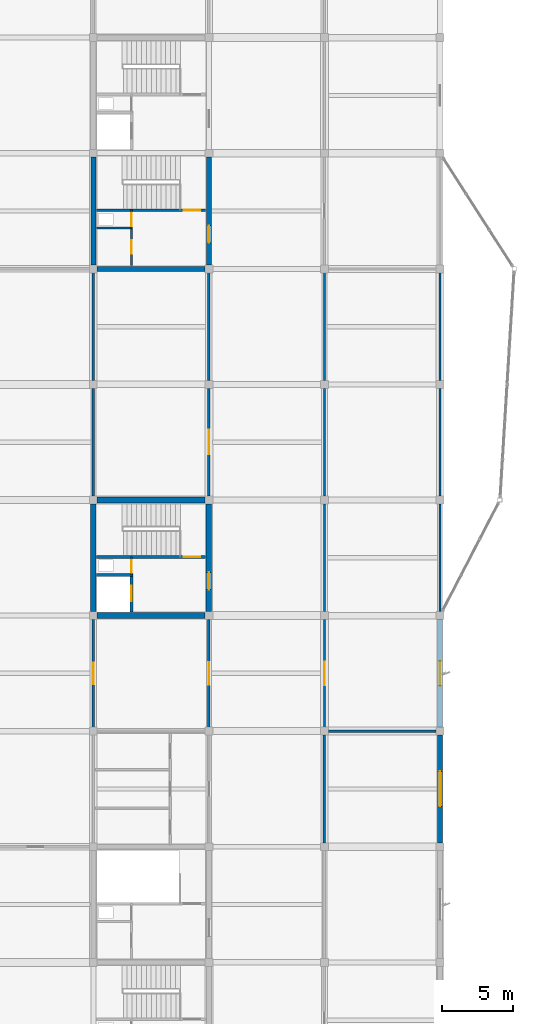
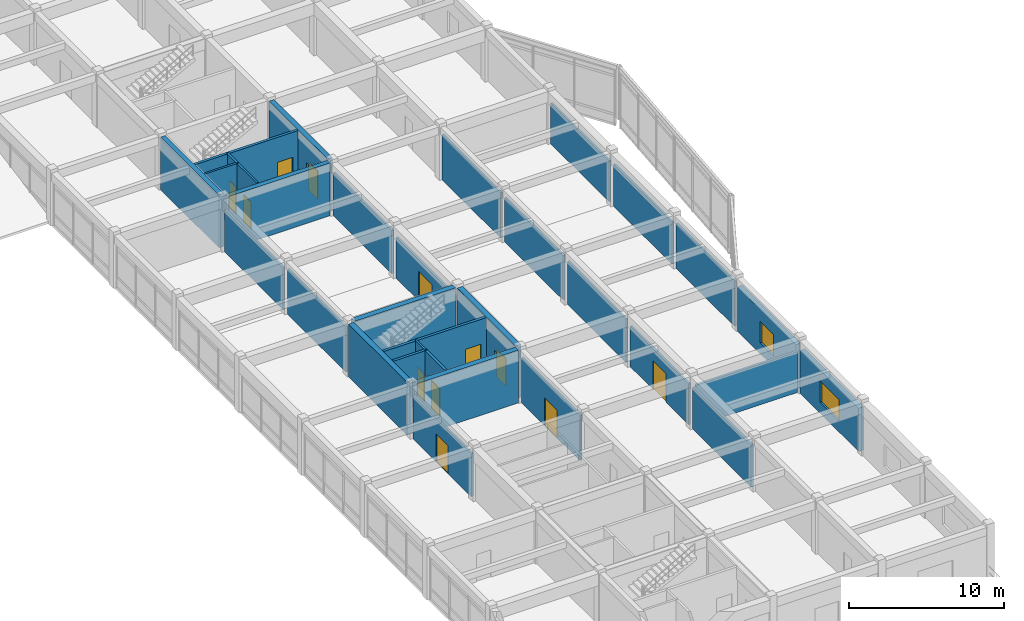
# One storey, part 28 of 33: 32 walls, 12 doors, 2 windows, 14 openings.
"""IFC4 building model written with IfcOpenShell, lengths in metres."""

from ifc_helpers import new_model, si_unit, direction, frame, frame_2d, origin, place, context, subcontext, project, spatial, rectangle, extrude, material, layer, layer_set, type_object, element, fill, save


model = new_model("IFC4")

# Units and contexts
model_context = context("Model", 3, precision=1e-05, world=origin(), true_north=direction((0.0, 1.0)))
body_context = subcontext(model_context, "Body", "Model", "MODEL_VIEW")
ifc_project = project(units=[si_unit("LENGTHUNIT", "METRE"), si_unit("AREAUNIT", "SQUARE_METRE"), si_unit("VOLUMEUNIT", "CUBIC_METRE"), si_unit("PLANEANGLEUNIT", "RADIAN"), si_unit("MASSUNIT", "GRAM", prefix="KILO")], contexts=[model_context])

# Site, building, storey
site_placement = place(None, origin())
site = spatial("IfcSite", under=ifc_project, at=site_placement, CompositionType="ELEMENT")
building_placement = place(site_placement, origin())
building = spatial("IfcBuilding", under=site, at=building_placement, Name="Vaudrelin Polytechnic", CompositionType="ELEMENT")
storey_placement = place(building_placement, frame((0.0, 0.0, 27.3701171875)))
storey = spatial("IfcBuildingStorey", under=building, at=storey_placement, Name="L06", CompositionType="ELEMENT", Elevation=27.3701171875)

# Wall, opening, window
ifc_material_1 = material(Name="Precast concrete 35 MPa with terracotta baguette screen", Category="masonry")
ifc_layer_1 = layer(ifc_material_1, 0.35009765625)
ifc_layer_set_1 = layer_set([ifc_layer_1], Name="Precast concrete 35 MPa with terracotta baguette screen")
wall_type_1 = type_object("IfcWallType", Name="WAL-EW-TERR350", PredefinedType="STANDARD", material=ifc_layer_set_1)
wall_1_placement = place(storey_placement, frame((170.10009765625, 48.873046875, 0.0), z_axis=(0.0, 0.0, 1.0), x_axis=(0.0, 1.0, 0.0)))
wall_1 = element("IfcWall", 1, at=wall_1_placement, inside=storey, type_object=wall_type_1, Name="Exterior wall L06 E_V4_02", PredefinedType="STANDARD", context=body_context, shape_type="SweptSolid", body=[
    extrude(rectangle(XDim=7.553955078125, YDim=0.35009765625, at=frame_2d((3.77685546875, 0.0))), origin(), (0.0, 0.0, 1.0), 3.411865234375),
])
opening_1_placement = place(wall_1_placement, frame((2.552001953125, 0.0, 0.85009765625)))
opening_1 = element("IfcOpeningElement", 2, at=opening_1_placement, cuts=wall_1, Name="Opening W-L06-E-V4-03", PredefinedType="OPENING", context=body_context, shape_type="SweptSolid", body=[
    extrude(rectangle(XDim=2.449951171875, YDim=1.699951171875, at=frame_2d((1.22509765625, 0.85009765625))), frame((0.0, 0.18505859375, 0.0), z_axis=(0.0, -1.0, 0.0), x_axis=(1.0, 0.0, 0.0)), (0.0, 0.0, 1.0), 0.3701171875),
])
ifc_material_2 = material(Name="Thermally broken aluminium frame with triple low-e glazing", Category="aluminium")
window_type_1 = type_object("IfcWindowType", Name="WIN-WN-38", PartitioningType="SINGLE_PANEL", PredefinedType="WINDOW", material=ifc_material_2)
window_1_placement = place(opening_1_placement, origin())
window_1 = element("IfcWindow", 3, at=window_1_placement, inside=storey, type_object=window_type_1, Name="Facade window L06-E_V4_02", OverallHeight=1.699951171875, OverallWidth=2.449951171875, PartitioningType="SINGLE_PANEL", PredefinedType="WINDOW", context=body_context, shape_type="SweptSolid", body=[
    extrude(rectangle(XDim=2.449951171875, YDim=1.699951171875, at=frame_2d((1.22509765625, 0.85009765625))), frame((0.0, 0.030029296875, 0.0), z_axis=(0.0, -1.0, 0.0), x_axis=(1.0, 0.0, 0.0)), (0.0, 0.0, 1.0), 0.06005859375),
])
fill(opening_1, window_1)

wall_2_placement = place(storey_placement, frame((170.10009765625, 56.972900390625, 0.0), z_axis=(0.0, 0.0, 1.0), x_axis=(0.0, 1.0, 0.0)))
wall_2 = element("IfcWall", 4, at=wall_2_placement, inside=storey, type_object=wall_type_1, Name="Exterior wall L06 E_V4_03", PredefinedType="STANDARD", context=body_context, shape_type="SweptSolid", body=[
    extrude(rectangle(XDim=7.55419921875, YDim=0.35009765625, at=frame_2d((3.777099609375, 0.0))), origin(), (0.0, 0.0, 1.0), 3.511962890625),
])
opening_2_placement = place(wall_2_placement, frame((2.927001953125, 0.0, 0.85009765625)))
opening_2 = element("IfcOpeningElement", 5, at=opening_2_placement, cuts=wall_2, Name="Opening W-L06-E-V4-04", PredefinedType="OPENING", context=body_context, shape_type="SweptSolid", body=[
    extrude(rectangle(XDim=1.699951171875, YDim=1.699951171875, at=frame_2d((0.85009765625, 0.85009765625))), frame((0.0, 0.18505859375, 0.0), z_axis=(0.0, -1.0, 0.0), x_axis=(1.0, 0.0, 0.0)), (0.0, 0.0, 1.0), 0.3701171875),
])
window_type_2 = type_object("IfcWindowType", Name="WIN-WN-39", PartitioningType="SINGLE_PANEL", PredefinedType="WINDOW", material=ifc_material_2)
window_2_placement = place(opening_2_placement, origin())
window_2 = element("IfcWindow", 6, at=window_2_placement, inside=storey, type_object=window_type_2, Name="Facade window L06-E_V4_03", OverallHeight=1.699951171875, OverallWidth=1.699951171875, PartitioningType="SINGLE_PANEL", PredefinedType="WINDOW", context=body_context, shape_type="SweptSolid", body=[
    extrude(rectangle(XDim=1.699951171875, YDim=1.699951171875, at=frame_2d((0.85009765625, 0.85009765625))), frame((0.0, 0.030029296875, 0.0), z_axis=(0.0, -1.0, 0.0), x_axis=(1.0, 0.0, 0.0)), (0.0, 0.0, 1.0), 0.06005859375),
])
fill(opening_2, window_2)

# Walls
ifc_material_3 = material(Name="Acoustic double-stud gypsum & mineral-wool partition", Category="gypsum")
ifc_layer_2 = layer(ifc_material_3, 0.179931640625)
ifc_layer_set_2 = layer_set([ifc_layer_2], Name="Acoustic double-stud gypsum & mineral-wool partition")
wall_type_2 = type_object("IfcWallType", Name="WAL-PW-AC180", PredefinedType="PARTITIONING", material=ifc_layer_set_2)
wall_3_placement = place(storey_placement, frame((162.0, 48.873046875, 0.0), z_axis=(0.0, 0.0, 1.0), x_axis=(0.0, 1.0, 0.0)))
element("IfcWall", 7, at=wall_3_placement, inside=storey, type_object=wall_type_2, Name="Partition L06-007 W", PredefinedType="PARTITIONING", context=body_context, shape_type="SweptSolid", body=[
    extrude(rectangle(XDim=7.553955078125, YDim=0.179931640625, at=frame_2d((3.77685546875, 0.0))), origin(), (0.0, 0.0, 1.0), 3.311767578125),
])
wall_4_placement = place(storey_placement, frame((162.27294921875, 56.699951171875, 0.0), z_axis=(0.0, 0.0, 1.0), x_axis=(1.0, 0.0, 0.0)))
element("IfcWall", 8, at=wall_4_placement, inside=storey, type_object=wall_type_2, Name="Partition L06-007 N", PredefinedType="PARTITIONING", context=body_context, shape_type="SweptSolid", body=[
    extrude(rectangle(XDim=7.553955078125, YDim=0.179931640625, at=frame_2d((3.77685546875, 0.0))), origin(), (0.0, 0.0, 1.0), 3.2119140625),
])

# Wall, opening, door
ifc_material_4 = material(Name="Fire-rated steel-stud gypsum compartment wall", Category="steel")
ifc_layer_3 = layer(ifc_material_4, 0.14990234375)
ifc_layer_set_3 = layer_set([ifc_layer_3], Name="Fire-rated steel-stud gypsum compartment wall")
wall_type_3 = type_object("IfcWallType", Name="WAL-PW-FIRE60", PredefinedType="PARTITIONING", material=ifc_layer_set_3)
wall_5_placement = place(storey_placement, frame((148.47998046875, 67.64990234375, 0.0), z_axis=(0.0, 0.0, 1.0), x_axis=(0.0, 1.0, 0.0)))
wall_5 = element("IfcWall", 9, at=wall_5_placement, inside=storey, type_object=wall_type_3, Name="Core C7 riser enclosure wall L06", PredefinedType="PARTITIONING", context=body_context, shape_type="SweptSolid", body=[
    extrude(rectangle(XDim=1.260009765625, YDim=0.14990234375, at=frame_2d((0.6298828125, 0.0))), origin(), (0.0, 0.0, 1.0), 4.161865234375),
])
opening_3_placement = place(wall_5_placement, frame((0.139892578125, 0.0, 0.0)))
opening_3 = element("IfcOpeningElement", 10, at=opening_3_placement, cuts=wall_5, Name="Opening D-L06-134", PredefinedType="OPENING", context=body_context, shape_type="SweptSolid", body=[
    extrude(rectangle(XDim=0.89990234375, YDim=2.14990234375, at=frame_2d((0.449951171875, 1.074951171875))), frame((0.0, 0.0849609375, 0.0), z_axis=(0.0, -1.0, 0.0), x_axis=(1.0, 0.0, 0.0)), (0.0, 0.0, 1.0), 0.169921875),
])
ifc_material_5 = material(Name="Pressed galvanised steel acoustic leaf", Category="steel")
door_type_1 = type_object("IfcDoorType", Name="DOR-ID-RSR1", OperationType="NOTDEFINED", PredefinedType="DOOR", material=ifc_material_5)
door_1_placement = place(opening_3_placement, origin())
door_1 = element("IfcDoor", 11, at=door_1_placement, inside=storey, type_object=door_type_1, Name="Core C7 riser access door L06", OperationType="SINGLE_SWING_RIGHT", OverallHeight=2.14990234375, OverallWidth=0.89990234375, PredefinedType="DOOR", context=body_context, shape_type="SweptSolid", body=[
    extrude(rectangle(XDim=0.89990234375, YDim=2.14990234375, at=frame_2d((0.449951171875, 1.074951171875))), frame((0.0, 0.02490234375, 0.0), z_axis=(0.0, -1.0, 0.0), x_axis=(1.0, 0.0, 0.0)), (0.0, 0.0, 1.0), 0.050048828125),
])
fill(opening_3, door_1)

wall_6_placement = place(storey_placement, frame((148.47998046875, 91.949951171875, 0.0), z_axis=(0.0, 0.0, 1.0), x_axis=(0.0, 1.0, 0.0)))
wall_6 = element("IfcWall", 12, at=wall_6_placement, inside=storey, type_object=wall_type_3, Name="Core C13 riser enclosure wall L06", PredefinedType="PARTITIONING", context=body_context, shape_type="SweptSolid", body=[
    extrude(rectangle(XDim=1.260009765625, YDim=0.14990234375, at=frame_2d((0.6298828125, 0.0))), origin(), (0.0, 0.0, 1.0), 4.161865234375),
])
opening_4_placement = place(wall_6_placement, frame((0.139892578125, 0.0, 0.0)))
opening_4 = element("IfcOpeningElement", 13, at=opening_4_placement, cuts=wall_6, Name="Opening D-L06-323", PredefinedType="OPENING", context=body_context, shape_type="SweptSolid", body=[
    extrude(rectangle(XDim=0.89990234375, YDim=2.14990234375, at=frame_2d((0.449951171875, 1.074951171875))), frame((0.0, 0.0849609375, 0.0), z_axis=(0.0, -1.0, 0.0), x_axis=(1.0, 0.0, 0.0)), (0.0, 0.0, 1.0), 0.169921875),
])
door_2_placement = place(opening_4_placement, origin())
door_2 = element("IfcDoor", 14, at=door_2_placement, inside=storey, type_object=door_type_1, Name="Core C13 riser access door L06", OperationType="SINGLE_SWING_RIGHT", OverallHeight=2.14990234375, OverallWidth=0.89990234375, PredefinedType="DOOR", context=body_context, shape_type="SweptSolid", body=[
    extrude(rectangle(XDim=0.89990234375, YDim=2.14990234375, at=frame_2d((0.449951171875, 1.074951171875))), frame((0.0, 0.02490234375, 0.0), z_axis=(0.0, -1.0, 0.0), x_axis=(1.0, 0.0, 0.0)), (0.0, 0.0, 1.0), 0.050048828125),
])
fill(opening_4, door_2)

# Wall
wall_7_placement = place(storey_placement, frame((146.02001953125, 91.949951171875, 0.0), z_axis=(0.0, 0.0, 1.0), x_axis=(1.0, 0.0, 0.0)))
element("IfcWall", 15, at=wall_7_placement, inside=storey, type_object=wall_type_3, Name="Core C13 riser south fire wall L06", PredefinedType="PARTITIONING", context=body_context, shape_type="SweptSolid", body=[
    extrude(rectangle(XDim=2.530029296875, YDim=0.14990234375, at=frame_2d((1.26513671875, 0.0))), origin(), (0.0, 0.0, 1.0), 4.161865234375),
])

# Wall, opening, door
wall_8_placement = place(storey_placement, frame((148.47998046875, 89.35009765625, 0.0), z_axis=(0.0, 0.0, 1.0), x_axis=(0.0, 1.0, 0.0)))
wall_8 = element("IfcWall", 16, at=wall_8_placement, inside=storey, type_object=wall_type_3, Name="Core C13 custodial enclosure wall L06", PredefinedType="PARTITIONING", context=body_context, shape_type="SweptSolid", body=[
    extrude(rectangle(XDim=2.599853515625, YDim=0.14990234375, at=frame_2d((1.2998046875, 0.0))), origin(), (0.0, 0.0, 1.0), 4.161865234375),
])
opening_5_placement = place(wall_8_placement, frame((0.800048828125, 0.0, 0.0)))
opening_5 = element("IfcOpeningElement", 17, at=opening_5_placement, cuts=wall_8, Name="Opening D-L06-324", PredefinedType="OPENING", context=body_context, shape_type="SweptSolid", body=[
    extrude(rectangle(XDim=0.949951171875, YDim=2.14990234375, at=frame_2d((0.47509765625, 1.074951171875))), frame((0.0, 0.0849609375, 0.0), z_axis=(0.0, -1.0, 0.0), x_axis=(1.0, 0.0, 0.0)), (0.0, 0.0, 1.0), 0.169921875),
])
door_type_2 = type_object("IfcDoorType", Name="DOR-ID-STR1", OperationType="NOTDEFINED", PredefinedType="DOOR", material=ifc_material_5)
door_3_placement = place(opening_5_placement, origin())
door_3 = element("IfcDoor", 18, at=door_3_placement, inside=storey, type_object=door_type_2, Name="Core C13 custodial door L06", OperationType="SINGLE_SWING_RIGHT", OverallHeight=2.14990234375, OverallWidth=0.949951171875, PredefinedType="DOOR", context=body_context, shape_type="SweptSolid", body=[
    extrude(rectangle(XDim=0.949951171875, YDim=2.14990234375, at=frame_2d((0.47509765625, 1.074951171875))), frame((0.0, 0.02490234375, 0.0), z_axis=(0.0, -1.0, 0.0), x_axis=(1.0, 0.0, 0.0)), (0.0, 0.0, 1.0), 0.050048828125),
])
fill(opening_5, door_3)

ifc_material_6 = material(Name="Moisture- and chemical-resistant laboratory partition", Category="gypsum")
ifc_layer_4 = layer(ifc_material_6, 0.159912109375)
ifc_layer_set_4 = layer_set([ifc_layer_4], Name="Moisture- and chemical-resistant laboratory partition")
wall_type_4 = type_object("IfcWallType", Name="WAL-PW-LAB160", PredefinedType="PARTITIONING", material=ifc_layer_set_4)
wall_9_placement = place(storey_placement, frame((145.800048828125, 56.972900390625, 0.0), z_axis=(0.0, 0.0, 1.0), x_axis=(0.0, 1.0, 0.0)))
wall_9 = element("IfcWall", 19, at=wall_9_placement, inside=storey, type_object=wall_type_4, Name="Partition L06-002 E", PredefinedType="PARTITIONING", context=body_context, shape_type="SweptSolid", body=[
    extrude(rectangle(XDim=7.55419921875, YDim=0.159912109375, at=frame_2d((3.777099609375, 0.0))), origin(), (0.0, 0.0, 1.0), 3.411865234375),
])
opening_6_placement = place(wall_9_placement, frame((3.027099609375, 0.0, 0.0)))
opening_6 = element("IfcOpeningElement", 20, at=opening_6_placement, cuts=wall_9, Name="Opening D-L06-561", PredefinedType="OPENING", context=body_context, shape_type="SweptSolid", body=[
    extrude(rectangle(XDim=1.5, YDim=2.199951171875, at=frame_2d((0.75, 1.10009765625))), frame((0.0, 0.08984375, 0.0), z_axis=(0.0, -1.0, 0.0), x_axis=(1.0, 0.0, 0.0)), (0.0, 0.0, 1.0), 0.179931640625),
])
door_type_3 = type_object("IfcDoorType", Name="DOR-ID-LAB1", OperationType="NOTDEFINED", PredefinedType="DOOR", material=ifc_material_5)
door_4_placement = place(opening_6_placement, origin())
door_4 = element("IfcDoor", 21, at=door_4_placement, inside=storey, type_object=door_type_3, Name="Optoelectronics and Photonics Laboratory door L06-002", OperationType="DOUBLE_SWING_LEFT", OverallHeight=2.199951171875, OverallWidth=1.5, PredefinedType="DOOR", context=body_context, shape_type="SweptSolid", body=[
    extrude(rectangle(XDim=1.5, YDim=2.199951171875, at=frame_2d((0.75, 1.10009765625))), frame((0.0, 0.02490234375, 0.0), z_axis=(0.0, -1.0, 0.0), x_axis=(1.0, 0.0, 0.0)), (0.0, 0.0, 1.0), 0.050048828125),
])
fill(opening_6, door_4)

# Walls
wall_10_placement = place(storey_placement, frame((145.800048828125, 73.173095703125, 0.0), z_axis=(0.0, 0.0, 1.0), x_axis=(0.0, 1.0, 0.0)))
element("IfcWall", 22, at=wall_10_placement, inside=storey, type_object=wall_type_4, Name="Partition L06-002 E", PredefinedType="PARTITIONING", context=body_context, shape_type="SweptSolid", body=[
    extrude(rectangle(XDim=7.553955078125, YDim=0.159912109375, at=frame_2d((3.77685546875, 0.0))), origin(), (0.0, 0.0, 1.0), 3.561767578125),
])
wall_11_placement = place(storey_placement, frame((145.800048828125, 81.27294921875, 0.0), z_axis=(0.0, 0.0, 1.0), x_axis=(0.0, 1.0, 0.0)))
element("IfcWall", 23, at=wall_11_placement, inside=storey, type_object=wall_type_4, Name="Partition L06-002 E", PredefinedType="PARTITIONING", context=body_context, shape_type="SweptSolid", body=[
    extrude(rectangle(XDim=7.553955078125, YDim=0.159912109375, at=frame_2d((3.77685546875, 0.0))), origin(), (0.0, 0.0, 1.0), 3.311767578125),
])

# Wall, opening, door
wall_12_placement = place(storey_placement, frame((153.89990234375, 73.173095703125, 0.0), z_axis=(0.0, 0.0, 1.0), x_axis=(0.0, 1.0, 0.0)))
wall_12 = element("IfcWall", 24, at=wall_12_placement, inside=storey, type_object=wall_type_4, Name="Partition L06-003 E", PredefinedType="PARTITIONING", context=body_context, shape_type="SweptSolid", body=[
    extrude(rectangle(XDim=7.553955078125, YDim=0.159912109375, at=frame_2d((3.77685546875, 0.0))), origin(), (0.0, 0.0, 1.0), 3.2119140625),
])
opening_7_placement = place(wall_12_placement, frame((2.9169921875, 0.0, 0.0)))
opening_7 = element("IfcOpeningElement", 25, at=opening_7_placement, cuts=wall_12, Name="Opening D-L06-562", PredefinedType="OPENING", context=body_context, shape_type="SweptSolid", body=[
    extrude(rectangle(XDim=1.719970703125, YDim=2.300048828125, at=frame_2d((0.85986328125, 1.14990234375))), frame((0.0, 0.08984375, 0.0), z_axis=(0.0, -1.0, 0.0), x_axis=(1.0, 0.0, 0.0)), (0.0, 0.0, 1.0), 0.179931640625),
])
door_type_4 = type_object("IfcDoorType", Name="DOR-ID-LAB5", OperationType="NOTDEFINED", PredefinedType="DOOR", material=ifc_material_5)
door_5_placement = place(opening_7_placement, origin())
door_5 = element("IfcDoor", 26, at=door_5_placement, inside=storey, type_object=door_type_4, Name="Photonics Metrology Laboratory door L06-003", OperationType="DOUBLE_SWING_LEFT", OverallHeight=2.300048828125, OverallWidth=1.719970703125, PredefinedType="DOOR", context=body_context, shape_type="SweptSolid", body=[
    extrude(rectangle(XDim=1.719970703125, YDim=2.300048828125, at=frame_2d((0.85986328125, 1.14990234375))), frame((0.0, 0.02490234375, 0.0), z_axis=(0.0, -1.0, 0.0), x_axis=(1.0, 0.0, 0.0)), (0.0, 0.0, 1.0), 0.050048828125),
])
fill(opening_7, door_5)

# Wall
wall_13_placement = place(storey_placement, frame((153.89990234375, 81.27294921875, 0.0), z_axis=(0.0, 0.0, 1.0), x_axis=(0.0, 1.0, 0.0)))
element("IfcWall", 27, at=wall_13_placement, inside=storey, type_object=wall_type_4, Name="Partition L06-003 E", PredefinedType="PARTITIONING", context=body_context, shape_type="SweptSolid", body=[
    extrude(rectangle(XDim=7.553955078125, YDim=0.159912109375, at=frame_2d((3.77685546875, 0.0))), origin(), (0.0, 0.0, 1.0), 3.411865234375),
])

# Wall, opening, door
wall_14_placement = place(storey_placement, frame((153.89990234375, 56.972900390625, 0.0), z_axis=(0.0, 0.0, 1.0), x_axis=(0.0, 1.0, 0.0)))
wall_14 = element("IfcWall", 28, at=wall_14_placement, inside=storey, type_object=wall_type_4, Name="Partition L06-010 E", PredefinedType="PARTITIONING", context=body_context, shape_type="SweptSolid", body=[
    extrude(rectangle(XDim=7.55419921875, YDim=0.159912109375, at=frame_2d((3.777099609375, 0.0))), origin(), (0.0, 0.0, 1.0), 3.561767578125),
])
opening_8_placement = place(wall_14_placement, frame((2.987060546875, 0.0, 0.0)))
opening_8 = element("IfcOpeningElement", 29, at=opening_8_placement, cuts=wall_14, Name="Opening D-L06-568", PredefinedType="OPENING", context=body_context, shape_type="SweptSolid", body=[
    extrude(rectangle(XDim=1.580078125, YDim=2.199951171875, at=frame_2d((0.7900390625, 1.10009765625))), frame((0.0, 0.08984375, 0.0), z_axis=(0.0, -1.0, 0.0), x_axis=(1.0, 0.0, 0.0)), (0.0, 0.0, 1.0), 0.179931640625),
])
door_type_5 = type_object("IfcDoorType", Name="DOR-ID-LAB3", OperationType="NOTDEFINED", PredefinedType="DOOR", material=ifc_material_5)
door_6_placement = place(opening_8_placement, origin())
door_6 = element("IfcDoor", 30, at=door_6_placement, inside=storey, type_object=door_type_5, Name="Laser Interferometry Prep Room door L06-010", OperationType="DOUBLE_SWING_LEFT", OverallHeight=2.199951171875, OverallWidth=1.580078125, PredefinedType="DOOR", context=body_context, shape_type="SweptSolid", body=[
    extrude(rectangle(XDim=1.580078125, YDim=2.199951171875, at=frame_2d((0.7900390625, 1.10009765625))), frame((0.0, 0.02490234375, 0.0), z_axis=(0.0, -1.0, 0.0), x_axis=(1.0, 0.0, 0.0)), (0.0, 0.0, 1.0), 0.050048828125),
])
fill(opening_8, door_6)

ifc_material_7 = material(Name="Pin-up plywood & acoustic gypsum studio partition", Category="wood")
ifc_layer_5 = layer(ifc_material_7, 0.14990234375)
ifc_layer_set_5 = layer_set([ifc_layer_5], Name="Pin-up plywood & acoustic gypsum studio partition")
wall_type_5 = type_object("IfcWallType", Name="WAL-PW-STU150", PredefinedType="PARTITIONING", material=ifc_layer_set_5)
wall_15_placement = place(storey_placement, frame((162.0, 56.972900390625, 0.0), z_axis=(0.0, 0.0, 1.0), x_axis=(0.0, 1.0, 0.0)))
wall_15 = element("IfcWall", 31, at=wall_15_placement, inside=storey, type_object=wall_type_5, Name="Partition L06-008 W", PredefinedType="PARTITIONING", context=body_context, shape_type="SweptSolid", body=[
    extrude(rectangle(XDim=7.55419921875, YDim=0.14990234375, at=frame_2d((3.777099609375, 0.0))), origin(), (0.0, 0.0, 1.0), 3.2119140625),
])
opening_9_placement = place(wall_15_placement, frame((2.95703125, 0.0, 0.0)))
opening_9 = element("IfcOpeningElement", 32, at=opening_9_placement, cuts=wall_15, Name="Opening D-L06-566", PredefinedType="OPENING", context=body_context, shape_type="SweptSolid", body=[
    extrude(rectangle(XDim=1.639892578125, YDim=2.25, at=frame_2d((0.81982421875, 1.125))), frame((0.0, 0.0849609375, 0.0), z_axis=(0.0, -1.0, 0.0), x_axis=(1.0, 0.0, 0.0)), (0.0, 0.0, 1.0), 0.169921875),
])
ifc_material_8 = material(Name="Solid-core birch veneer acoustic leaf", Category="wood")
door_type_6 = type_object("IfcDoorType", Name="DOR-ID-STU2", OperationType="NOTDEFINED", PredefinedType="DOOR", material=ifc_material_8)
door_7_placement = place(opening_9_placement, origin())
door_7 = element("IfcDoor", 33, at=door_7_placement, inside=storey, type_object=door_type_6, Name="Precision Optics Design Studio door L06-008", OperationType="DOUBLE_SWING_LEFT", OverallHeight=2.25, OverallWidth=1.639892578125, PredefinedType="DOOR", context=body_context, shape_type="SweptSolid", body=[
    extrude(rectangle(XDim=1.639892578125, YDim=2.25, at=frame_2d((0.81982421875, 1.125))), frame((0.0, 0.02490234375, 0.0), z_axis=(0.0, -1.0, 0.0), x_axis=(1.0, 0.0, 0.0)), (0.0, 0.0, 1.0), 0.050048828125),
])
fill(opening_9, door_7)

# Walls
wall_16_placement = place(storey_placement, frame((162.0, 65.072998046875, 0.0), z_axis=(0.0, 0.0, 1.0), x_axis=(0.0, 1.0, 0.0)))
element("IfcWall", 34, at=wall_16_placement, inside=storey, type_object=wall_type_5, Name="Partition L06-008 W", PredefinedType="PARTITIONING", context=body_context, shape_type="SweptSolid", body=[
    extrude(rectangle(XDim=7.553955078125, YDim=0.14990234375, at=frame_2d((3.77685546875, 0.0))), origin(), (0.0, 0.0, 1.0), 3.411865234375),
])
wall_17_placement = place(storey_placement, frame((162.0, 73.173095703125, 0.0), z_axis=(0.0, 0.0, 1.0), x_axis=(0.0, 1.0, 0.0)))
element("IfcWall", 35, at=wall_17_placement, inside=storey, type_object=wall_type_5, Name="Partition L06-008 W", PredefinedType="PARTITIONING", context=body_context, shape_type="SweptSolid", body=[
    extrude(rectangle(XDim=7.553955078125, YDim=0.14990234375, at=frame_2d((3.77685546875, 0.0))), origin(), (0.0, 0.0, 1.0), 3.511962890625),
])
for number, where, z_axis, x_axis, name in (
    (36, (162.0, 81.27294921875, 0.0), (0.0, 0.0, 1.0), (0.0, 1.0, 0.0), "Partition L06-008 W"),
    (37, (170.10009765625, 65.072998046875, 0.0), (0.0, 0.0, 1.0), (0.0, 1.0, 0.0), "Partition L06-008 E"),
):
    element("IfcWall", number, at=place(storey_placement, frame(where, z_axis=z_axis, x_axis=x_axis)), inside=storey, type_object=wall_type_5, Name=name, PredefinedType="PARTITIONING", context=body_context, shape_type="SweptSolid", body=[
        extrude(rectangle(XDim=7.553955078125, YDim=0.14990234375, at=frame_2d((3.77685546875, 0.0))), origin(), (0.0, 0.0, 1.0), 3.561767578125),
    ])
wall_18_placement = place(storey_placement, frame((170.10009765625, 73.173095703125, 0.0), z_axis=(0.0, 0.0, 1.0), x_axis=(0.0, 1.0, 0.0)))
element("IfcWall", 38, at=wall_18_placement, inside=storey, type_object=wall_type_5, Name="Partition L06-008 E", PredefinedType="PARTITIONING", context=body_context, shape_type="SweptSolid", body=[
    extrude(rectangle(XDim=7.553955078125, YDim=0.14990234375, at=frame_2d((3.77685546875, 0.0))), origin(), (0.0, 0.0, 1.0), 3.311767578125),
])
wall_19_placement = place(storey_placement, frame((170.10009765625, 81.27294921875, 0.0), z_axis=(0.0, 0.0, 1.0), x_axis=(0.0, 1.0, 0.0)))
element("IfcWall", 39, at=wall_19_placement, inside=storey, type_object=wall_type_5, Name="Partition L06-008 E", PredefinedType="PARTITIONING", context=body_context, shape_type="SweptSolid", body=[
    extrude(rectangle(XDim=7.553955078125, YDim=0.14990234375, at=frame_2d((3.77685546875, 0.0))), origin(), (0.0, 0.0, 1.0), 3.2119140625),
])

# Wall, opening, door
ifc_material_9 = material(Name="Concrete 40 MPa", Category="concrete")
ifc_layer_6 = layer(ifc_material_9, 0.199951171875)
ifc_layer_set_6 = layer_set([ifc_layer_6], Name="Concrete 40 MPa")
wall_type_6 = type_object("IfcWallType", Name="WAL-SW-CORE200", PredefinedType="SHEAR", material=ifc_layer_set_6)
wall_20_placement = place(storey_placement, frame((146.02001953125, 68.909912109375, 0.0), z_axis=(0.0, 0.0, 1.0), x_axis=(1.0, 0.0, 0.0)))
wall_20 = element("IfcWall", 40, at=wall_20_placement, inside=storey, type_object=wall_type_6, Name="Core C7 stair enclosure wall L06", PredefinedType="SHEAR", context=body_context, shape_type="SweptSolid", body=[
    extrude(rectangle(XDim=7.659912109375, YDim=0.199951171875, at=frame_2d((3.830078125, 0.0))), origin(), (0.0, 0.0, 1.0), 4.161865234375),
])
opening_10_placement = place(wall_20_placement, frame((6.110107421875, 0.0, 0.0)))
opening_10 = element("IfcOpeningElement", 41, at=opening_10_placement, cuts=wall_20, Name="Opening D-L06-133", PredefinedType="OPENING", context=body_context, shape_type="SweptSolid", body=[
    extrude(rectangle(XDim=1.14990234375, YDim=2.199951171875, at=frame_2d((0.574951171875, 1.10009765625))), frame((0.0, 0.10986328125, 0.0), z_axis=(0.0, -1.0, 0.0), x_axis=(1.0, 0.0, 0.0)), (0.0, 0.0, 1.0), 0.219970703125),
])
door_type_7 = type_object("IfcDoorType", Name="DOR-ID-ST1", OperationType="NOTDEFINED", PredefinedType="DOOR", material=ifc_material_5)
door_8_placement = place(opening_10_placement, origin())
door_8 = element("IfcDoor", 42, at=door_8_placement, inside=storey, type_object=door_type_7, Name="Core C7 exit stair door L06", OperationType="SINGLE_SWING_LEFT", OverallHeight=2.199951171875, OverallWidth=1.14990234375, PredefinedType="DOOR", context=body_context, shape_type="SweptSolid", body=[
    extrude(rectangle(XDim=1.14990234375, YDim=2.199951171875, at=frame_2d((0.574951171875, 1.10009765625))), frame((0.0, 0.02490234375, 0.0), z_axis=(0.0, -1.0, 0.0), x_axis=(1.0, 0.0, 0.0)), (0.0, 0.0, 1.0), 0.050048828125),
])
fill(opening_10, door_8)

wall_21_placement = place(storey_placement, frame((148.47998046875, 65.050048828125, 0.0), z_axis=(0.0, 0.0, 1.0), x_axis=(0.0, 1.0, 0.0)))
wall_21 = element("IfcWall", 43, at=wall_21_placement, inside=storey, type_object=wall_type_6, Name="Lift LF-07 shaft front wall L06", PredefinedType="SHEAR", context=body_context, shape_type="SweptSolid", body=[
    extrude(rectangle(XDim=2.599853515625, YDim=0.199951171875, at=frame_2d((1.2998046875, 0.0))), origin(), (0.0, 0.0, 1.0), 4.161865234375),
])
opening_11_placement = place(wall_21_placement, frame((0.75, 0.0, 0.0)))
opening_11 = element("IfcOpeningElement", 44, at=opening_11_placement, cuts=wall_21, Name="Opening LD-LF-07-L06", PredefinedType="OPENING", context=body_context, shape_type="SweptSolid", body=[
    extrude(rectangle(XDim=1.10009765625, YDim=2.199951171875, at=frame_2d((0.550048828125, 1.10009765625))), frame((0.0, 0.10986328125, 0.0), z_axis=(0.0, -1.0, 0.0), x_axis=(1.0, 0.0, 0.0)), (0.0, 0.0, 1.0), 0.219970703125),
])
ifc_material_10 = material(Name="Brushed stainless steel AISI 304", Category="steel")
door_type_8 = type_object("IfcDoorType", Name="DOR-LD-PAX", OperationType="SLIDING_TO_LEFT", PredefinedType="DOOR", material=ifc_material_10)
door_9_placement = place(opening_11_placement, origin())
door_9 = element("IfcDoor", 45, at=door_9_placement, inside=storey, type_object=door_type_8, Name="Lift LF-07 landing door L06", OperationType="SLIDING_TO_LEFT", OverallHeight=2.199951171875, OverallWidth=1.10009765625, PredefinedType="DOOR", context=body_context, shape_type="SweptSolid", body=[
    extrude(rectangle(XDim=1.10009765625, YDim=2.199951171875, at=frame_2d((0.550048828125, 1.10009765625))), frame((0.0, 0.02490234375, 0.0), z_axis=(0.0, -1.0, 0.0), x_axis=(1.0, 0.0, 0.0)), (0.0, 0.0, 1.0), 0.050048828125),
])
fill(opening_11, door_9)

# Wall
wall_22_placement = place(storey_placement, frame((146.02001953125, 67.64990234375, 0.0), z_axis=(0.0, 0.0, 1.0), x_axis=(1.0, 0.0, 0.0)))
element("IfcWall", 46, at=wall_22_placement, inside=storey, type_object=wall_type_6, Name="Lift LF-07 shaft north wall L06", PredefinedType="SHEAR", context=body_context, shape_type="SweptSolid", body=[
    extrude(rectangle(XDim=2.56005859375, YDim=0.199951171875, at=frame_2d((1.280029296875, 0.0))), origin(), (0.0, 0.0, 1.0), 4.161865234375),
])

# Wall, opening, door
wall_23_placement = place(storey_placement, frame((146.02001953125, 93.2099609375, 0.0), z_axis=(0.0, 0.0, 1.0), x_axis=(1.0, 0.0, 0.0)))
wall_23 = element("IfcWall", 47, at=wall_23_placement, inside=storey, type_object=wall_type_6, Name="Core C13 stair enclosure wall L06", PredefinedType="SHEAR", context=body_context, shape_type="SweptSolid", body=[
    extrude(rectangle(XDim=7.659912109375, YDim=0.199951171875, at=frame_2d((3.830078125, 0.0))), origin(), (0.0, 0.0, 1.0), 4.161865234375),
])
opening_12_placement = place(wall_23_placement, frame((6.110107421875, 0.0, 0.0)))
opening_12 = element("IfcOpeningElement", 48, at=opening_12_placement, cuts=wall_23, Name="Opening D-L06-322", PredefinedType="OPENING", context=body_context, shape_type="SweptSolid", body=[
    extrude(rectangle(XDim=1.14990234375, YDim=2.199951171875, at=frame_2d((0.574951171875, 1.10009765625))), frame((0.0, 0.10986328125, 0.0), z_axis=(0.0, -1.0, 0.0), x_axis=(1.0, 0.0, 0.0)), (0.0, 0.0, 1.0), 0.219970703125),
])
door_10_placement = place(opening_12_placement, origin())
door_10 = element("IfcDoor", 49, at=door_10_placement, inside=storey, type_object=door_type_7, Name="Core C13 exit stair door L06", OperationType="SINGLE_SWING_LEFT", OverallHeight=2.199951171875, OverallWidth=1.14990234375, PredefinedType="DOOR", context=body_context, shape_type="SweptSolid", body=[
    extrude(rectangle(XDim=1.14990234375, YDim=2.199951171875, at=frame_2d((0.574951171875, 1.10009765625))), frame((0.0, 0.02490234375, 0.0), z_axis=(0.0, -1.0, 0.0), x_axis=(1.0, 0.0, 0.0)), (0.0, 0.0, 1.0), 0.050048828125),
])
fill(opening_12, door_10)

# Wall
ifc_material_11 = material(Name="Concrete 50 MPa", Category="concrete")
ifc_layer_7 = layer(ifc_material_11, 0.35009765625)
ifc_layer_set_7 = layer_set([ifc_layer_7], Name="Concrete 50 MPa")
wall_type_7 = type_object("IfcWallType", Name="WAL-SW-CORE350", PredefinedType="SHEAR", material=ifc_layer_set_7)
wall_24_placement = place(storey_placement, frame((145.800048828125, 89.373046875, 0.0), z_axis=(0.0, 0.0, 1.0), x_axis=(0.0, 1.0, 0.0)))
element("IfcWall", 50, at=wall_24_placement, inside=storey, type_object=wall_type_7, Name="Core C13 W shear wall L06", PredefinedType="SHEAR", context=body_context, shape_type="SweptSolid", body=[
    extrude(rectangle(XDim=7.553955078125, YDim=0.35009765625, at=frame_2d((3.77685546875, 0.0))), origin(), (0.0, 0.0, 1.0), 4.161865234375),
])

# Wall, opening, door
wall_25_placement = place(storey_placement, frame((153.89990234375, 89.373046875, 0.0), z_axis=(0.0, 0.0, 1.0), x_axis=(0.0, 1.0, 0.0)))
wall_25 = element("IfcWall", 51, at=wall_25_placement, inside=storey, type_object=wall_type_7, Name="Core C13 E shear wall L06", PredefinedType="SHEAR", context=body_context, shape_type="SweptSolid", body=[
    extrude(rectangle(XDim=7.553955078125, YDim=0.35009765625, at=frame_2d((3.77685546875, 0.0))), origin(), (0.0, 0.0, 1.0), 4.161865234375),
])
opening_13_placement = place(wall_25_placement, frame((1.550048828125, 0.0, 0.0)))
opening_13 = element("IfcOpeningElement", 52, at=opening_13_placement, cuts=wall_25, Name="Opening D-L06-321", PredefinedType="OPENING", context=body_context, shape_type="SweptSolid", body=[
    extrude(rectangle(XDim=1.199951171875, YDim=2.199951171875, at=frame_2d((0.60009765625, 1.10009765625))), frame((0.0, 0.18505859375, 0.0), z_axis=(0.0, -1.0, 0.0), x_axis=(1.0, 0.0, 0.0)), (0.0, 0.0, 1.0), 0.3701171875),
])
door_type_9 = type_object("IfcDoorType", Name="DOR-ID-LB1", OperationType="NOTDEFINED", PredefinedType="DOOR", material=ifc_material_5)
door_11_placement = place(opening_13_placement, origin())
door_11 = element("IfcDoor", 53, at=door_11_placement, inside=storey, type_object=door_type_9, Name="Core C13 lobby fire door L06", OperationType="SINGLE_SWING_LEFT", OverallHeight=2.199951171875, OverallWidth=1.199951171875, PredefinedType="DOOR", context=body_context, shape_type="SweptSolid", body=[
    extrude(rectangle(XDim=1.199951171875, YDim=2.199951171875, at=frame_2d((0.60009765625, 1.10009765625))), frame((0.0, 0.02490234375, 0.0), z_axis=(0.0, -1.0, 0.0), x_axis=(1.0, 0.0, 0.0)), (0.0, 0.0, 1.0), 0.050048828125),
])
fill(opening_13, door_11)

# Walls
wall_26_placement = place(storey_placement, frame((146.072998046875, 89.10009765625, 0.0), z_axis=(0.0, 0.0, 1.0), x_axis=(1.0, 0.0, 0.0)))
element("IfcWall", 54, at=wall_26_placement, inside=storey, type_object=wall_type_7, Name="Core C13 S shear wall L06", PredefinedType="SHEAR", context=body_context, shape_type="SweptSolid", body=[
    extrude(rectangle(XDim=7.553955078125, YDim=0.35009765625, at=frame_2d((3.77685546875, 0.0))), origin(), (0.0, 0.0, 1.0), 4.161865234375),
])
ifc_layer_8 = layer(ifc_material_11, 0.39990234375)
ifc_layer_set_8 = layer_set([ifc_layer_8], Name="Concrete 50 MPa")
wall_type_8 = type_object("IfcWallType", Name="WAL-SW-CORE400", PredefinedType="SHEAR", material=ifc_layer_set_8)
for number, where, z_axis, x_axis, name in (
    (55, (146.072998046875, 72.89990234375, 0.0), (0.0, 0.0, 1.0), (1.0, 0.0, 0.0), "Core C7 N shear wall L06"),
    (56, (145.800048828125, 65.072998046875, 0.0), (0.0, 0.0, 1.0), (0.0, 1.0, 0.0), "Core C7 W shear wall L06"),
):
    element("IfcWall", number, at=place(storey_placement, frame(where, z_axis=z_axis, x_axis=x_axis)), inside=storey, type_object=wall_type_8, Name=name, PredefinedType="SHEAR", context=body_context, shape_type="SweptSolid", body=[
        extrude(rectangle(XDim=7.553955078125, YDim=0.39990234375, at=frame_2d((3.77685546875, 0.0))), origin(), (0.0, 0.0, 1.0), 4.161865234375),
    ])

# Wall, opening, door
wall_27_placement = place(storey_placement, frame((153.89990234375, 65.072998046875, 0.0), z_axis=(0.0, 0.0, 1.0), x_axis=(0.0, 1.0, 0.0)))
wall_27 = element("IfcWall", 57, at=wall_27_placement, inside=storey, type_object=wall_type_8, Name="Core C7 E shear wall L06", PredefinedType="SHEAR", context=body_context, shape_type="SweptSolid", body=[
    extrude(rectangle(XDim=7.553955078125, YDim=0.39990234375, at=frame_2d((3.77685546875, 0.0))), origin(), (0.0, 0.0, 1.0), 4.161865234375),
])
opening_14_placement = place(wall_27_placement, frame((1.550048828125, 0.0, 0.0)))
opening_14 = element("IfcOpeningElement", 58, at=opening_14_placement, cuts=wall_27, Name="Opening D-L06-132", PredefinedType="OPENING", context=body_context, shape_type="SweptSolid", body=[
    extrude(rectangle(XDim=1.199951171875, YDim=2.199951171875, at=frame_2d((0.60009765625, 1.10009765625))), frame((0.0, 0.2099609375, 0.0), z_axis=(0.0, -1.0, 0.0), x_axis=(1.0, 0.0, 0.0)), (0.0, 0.0, 1.0), 0.419921875),
])
door_12_placement = place(opening_14_placement, origin())
door_12 = element("IfcDoor", 59, at=door_12_placement, inside=storey, type_object=door_type_9, Name="Core C7 lobby fire door L06", OperationType="SINGLE_SWING_RIGHT", OverallHeight=2.199951171875, OverallWidth=1.199951171875, PredefinedType="DOOR", context=body_context, shape_type="SweptSolid", body=[
    extrude(rectangle(XDim=1.199951171875, YDim=2.199951171875, at=frame_2d((0.60009765625, 1.10009765625))), frame((0.0, 0.02490234375, 0.0), z_axis=(0.0, -1.0, 0.0), x_axis=(1.0, 0.0, 0.0)), (0.0, 0.0, 1.0), 0.050048828125),
])
fill(opening_14, door_12)

# Wall
wall_28_placement = place(storey_placement, frame((146.072998046875, 64.800048828125, 0.0), z_axis=(0.0, 0.0, 1.0), x_axis=(1.0, 0.0, 0.0)))
element("IfcWall", 60, at=wall_28_placement, inside=storey, type_object=wall_type_8, Name="Core C7 S shear wall L06", PredefinedType="SHEAR", context=body_context, shape_type="SweptSolid", body=[
    extrude(rectangle(XDim=7.553955078125, YDim=0.39990234375, at=frame_2d((3.77685546875, 0.0))), origin(), (0.0, 0.0, 1.0), 4.161865234375),
])

save(model, "model.ifc")
